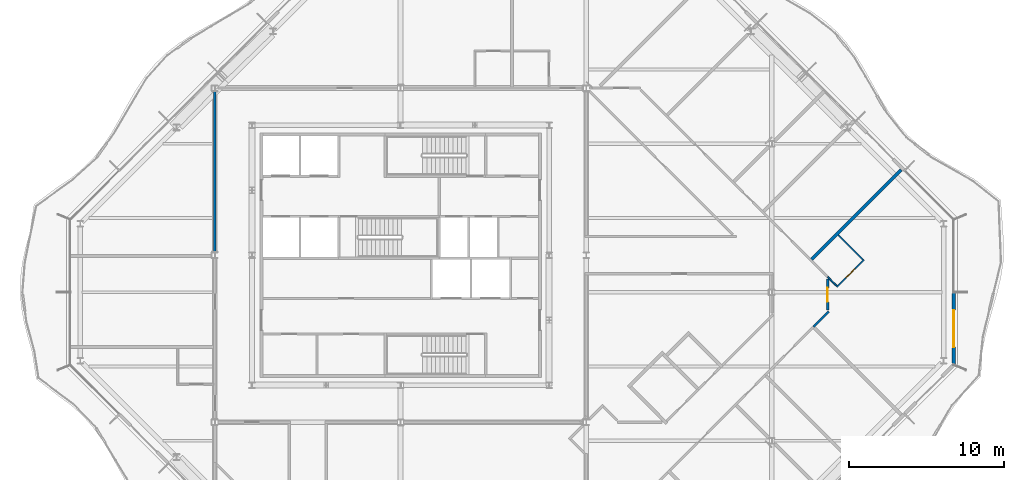
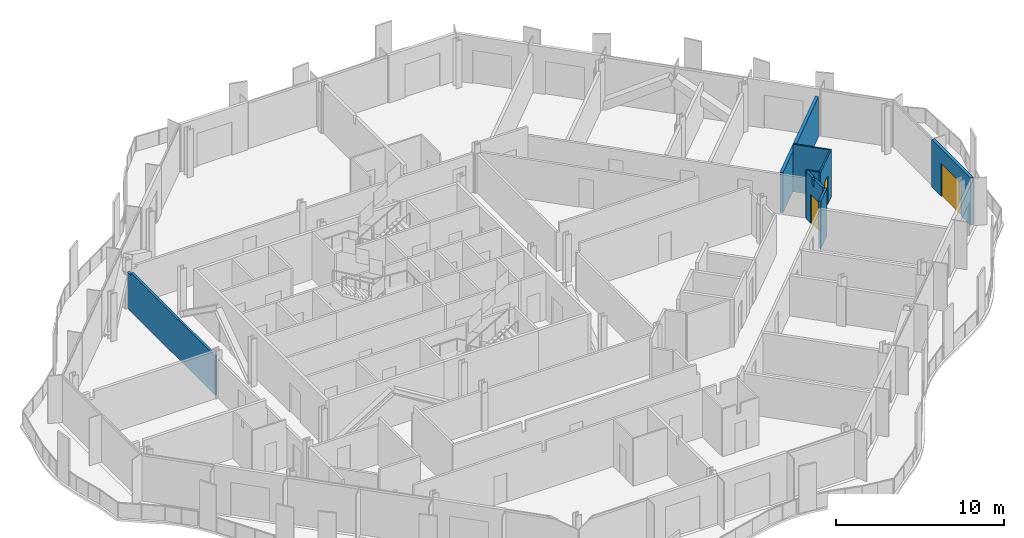
# One storey, part 10 of 17: 8 walls, 3 doors, 3 openings.
"""IFC4 building model written with IfcOpenShell, lengths in metres."""

from ifc_helpers import new_model, si_unit, direction, frame, frame_2d, origin, place, context, subcontext, project, spatial, polyline, rectangle, outline, extrude, material, layer, layer_set, type_object, element, fill, save


model = new_model("IFC4")

# Units and contexts
model_context = context("Model", 3, precision=1e-05, world=origin(), true_north=direction((0.0, 1.0)))
body_context = subcontext(model_context, "Body", "Model", "MODEL_VIEW")
ifc_project = project(units=[si_unit("LENGTHUNIT", "METRE"), si_unit("AREAUNIT", "SQUARE_METRE"), si_unit("VOLUMEUNIT", "CUBIC_METRE"), si_unit("PLANEANGLEUNIT", "RADIAN"), si_unit("MASSUNIT", "GRAM", prefix="KILO")], contexts=[model_context])

# Site, building, storey
site_placement = place(None, origin())
site = spatial("IfcSite", under=ifc_project, at=site_placement, CompositionType="ELEMENT")
building_placement = place(site_placement, origin())
building = spatial("IfcBuilding", under=site, at=building_placement, Name="Cairn Pilgrim Tower", CompositionType="ELEMENT")
storey_placement = place(building_placement, frame((0.0, 0.0, 246.60009765625)))
storey = spatial("IfcBuildingStorey", under=building, at=storey_placement, Name="L63", CompositionType="ELEMENT", Elevation=246.60009765625)

# Wall, opening, door
ifc_material_1 = material(Name="Bronze anodised aluminium insulated sandwich panel with mineral wool fill", Category="aluminium")
ifc_layer_1 = layer(ifc_material_1, 0.199951171875)
ifc_layer_set_1 = layer_set([ifc_layer_1], Name="BRONZE INFILL FRAME WALL 200")
wall_type_1 = type_object("IfcWallType", Name="BRONZE INFILL FRAME WALL 200", PredefinedType="NOTDEFINED", material=ifc_layer_set_1)
wall_1_placement = place(storey_placement, frame((42.949951171875, -4.656494140625, 0.0), z_axis=(0.0, 0.0, 1.0), x_axis=(0.0, 1.0, 0.0)))
wall_1 = element("IfcWall", 1, at=wall_1_placement, inside=storey, type_object=wall_type_1, Name="Bronze infill frame wall IW-E1", PredefinedType="NOTDEFINED", context=body_context, shape_type="SweptSolid", body=[
    extrude(rectangle(XDim=4.62646484375, YDim=0.199951171875, at=frame_2d((2.313232421875, 0.0))), origin(), (0.0, 0.0, 1.0), 3.449951171875),
])
opening_1_placement = place(wall_1_placement, frame((1.1083984375, 0.0, 0.0)))
opening_1 = element("IfcOpeningElement", 2, at=opening_1_placement, cuts=wall_1, Name="Opening 6306B", PredefinedType="OPENING", context=body_context, shape_type="SweptSolid", body=[
    extrude(rectangle(XDim=2.39990234375, YDim=2.39990234375, at=frame_2d((1.199951171875, 1.199951171875))), frame((0.0, 0.10986328125, 0.0), z_axis=(0.0, -1.0, 0.0), x_axis=(1.0, 0.0, 0.0)), (0.0, 0.0, 1.0), 0.219970703125),
])
ifc_material_2 = material(Name="Bronze anodised aluminium frame with tinted low-E glass", Category="aluminium")
door_type_1 = type_object("IfcDoorType", Name="BALCONY SLIDING DOOR 2400x2400", OperationType="DOUBLE_DOOR_SLIDING", PredefinedType="DOOR", material=ifc_material_2)
door_1_placement = place(opening_1_placement, origin())
door_1 = element("IfcDoor", 3, at=door_1_placement, inside=storey, type_object=door_type_1, Name="Balcony sliding door 6306B", OperationType="SINGLE_SWING_LEFT", OverallHeight=2.39990234375, OverallWidth=2.39990234375, PredefinedType="DOOR", context=body_context, shape_type="SweptSolid", body=[
    extrude(rectangle(XDim=2.39990234375, YDim=2.39990234375, at=frame_2d((1.199951171875, 1.199951171875))), frame((0.0, 0.02490234375, 0.0), z_axis=(0.0, -1.0, 0.0), x_axis=(1.0, 0.0, 0.0)), (0.0, 0.0, 1.0), 0.050048828125),
])
fill(opening_1, door_1)

ifc_material_3 = material(Name="Gypsum partition")
ifc_layer_2 = layer(ifc_material_3, 0.10009765625)
ifc_layer_set_2 = layer_set([ifc_layer_2], Name="PARTITION 100 DRYWALL")
wall_type_2 = type_object("IfcWallType", Name="PARTITION 100 DRYWALL", PredefinedType="PARTITIONING", material=ifc_layer_set_2)
wall_2_placement = place(storey_placement, frame((35.382568359375, 0.340576171875, 0.0), z_axis=(0.0, 0.0, 1.0), x_axis=(0.707106781187, 0.707106781187, 0.0)))
wall_2 = element("IfcWall", 4, at=wall_2_placement, inside=storey, type_object=wall_type_2, Name="PARTITION W054", PredefinedType="PARTITIONING", context=body_context, shape_type="SweptSolid", body=[
    extrude(rectangle(XDim=2.5, YDim=0.10009765625, at=frame_2d((1.25, 0.0))), origin(), (0.0, 0.0, 1.0), 3.449951171875),
])
opening_2_placement = place(wall_2_placement, frame((0.85009765625, 0.0, 0.0)))
opening_2 = element("IfcOpeningElement", 5, at=opening_2_placement, cuts=wall_2, Name="Opening 6306A", PredefinedType="OPENING", context=body_context, shape_type="SweptSolid", body=[
    extrude(rectangle(XDim=0.800048828125, YDim=2.10009765625, at=frame_2d((0.39990234375, 1.050048828125))), frame((0.0, 0.06005859375, 0.0), z_axis=(0.0, -1.0, 0.0), x_axis=(1.0, 0.0, 0.0)), (0.0, 0.0, 1.0), 0.1201171875),
])
ifc_material_4 = material(Name="Timber door leaf", Category="wood")
door_type_2 = type_object("IfcDoorType", Name="WC DOOR 800x2100", OperationType="NOTDEFINED", PredefinedType="DOOR", material=ifc_material_4)
door_2_placement = place(opening_2_placement, frame((0.800048828125, 0.0, 0.0), z_axis=(0.0, 0.0, 1.0), x_axis=(-1.0, 0.0, 0.0)))
door_2 = element("IfcDoor", 6, at=door_2_placement, inside=storey, type_object=door_type_2, Name="DOOR 6306A", OperationType="SINGLE_SWING_RIGHT", OverallHeight=2.10009765625, OverallWidth=0.800048828125, PredefinedType="DOOR", context=body_context, shape_type="SweptSolid", body=[
    extrude(rectangle(XDim=0.800048828125, YDim=2.10009765625, at=frame_2d((0.39990234375, 1.050048828125))), frame((0.0, 0.02490234375, 0.0), z_axis=(0.0, -1.0, 0.0), x_axis=(1.0, 0.0, 0.0)), (0.0, 0.0, 1.0), 0.050048828125),
])
fill(opening_2, door_2)

# Walls
wall_3_placement = place(storey_placement, frame((35.382568359375, 0.411376953125, 0.0), z_axis=(0.0, 0.0, 1.0), x_axis=(-0.707106781187, 0.707106781187, 0.0)))
element("IfcWall", 7, at=wall_3_placement, inside=storey, type_object=wall_type_2, Name="PARTITION W055", PredefinedType="PARTITIONING", context=body_context, shape_type="SweptSolid", body=[
    extrude(rectangle(XDim=0.82373046875, YDim=0.10009765625, at=frame_2d((0.411865234375, 0.0))), origin(), (0.0, 0.0, 1.0), 3.449951171875),
])
wall_4_placement = place(storey_placement, frame((37.07958984375, 2.1083984375, 0.0), z_axis=(0.0, 0.0, 1.0), x_axis=(-0.707106781187, 0.707106781187, 0.0)))
element("IfcWall", 8, at=wall_4_placement, inside=storey, type_object=wall_type_2, Name="PARTITION W059", PredefinedType="PARTITIONING", context=body_context, shape_type="SweptSolid", body=[
    extrude(rectangle(XDim=2.249755859375, YDim=0.10009765625, at=frame_2d((1.125, 0.0))), origin(), (0.0, 0.0, 1.0), 3.449951171875),
])
ifc_layer_3 = layer(ifc_material_3, 0.14990234375)
ifc_layer_set_3 = layer_set([ifc_layer_3], Name="PARTITION 150 DRYWALL EI 60")
wall_type_3 = type_object("IfcWallType", Name="PARTITION 150 DRYWALL EI 60", PredefinedType="PARTITIONING", material=ifc_layer_set_3)
wall_5_placement = place(storey_placement, frame((33.885009765625, -2.236083984375, 0.0), z_axis=(0.0, 0.0, 1.0), x_axis=(0.707106781187, 0.707106781187, 0.0)))
element("IfcWall", 9, at=wall_5_placement, inside=storey, type_object=wall_type_3, Name="PARTITION W050", PredefinedType="PARTITIONING", context=body_context, shape_type="SweptSolid", body=[
    extrude(rectangle(XDim=1.400146484375, YDim=0.14990234375, at=frame_2d((0.7001953125, 0.0))), origin(), (0.0, 0.0, 1.0), 3.449951171875),
])

# Wall, opening, door
wall_6_placement = place(storey_placement, frame((34.800048828125, -1.139892578125, 0.0), z_axis=(0.0, 0.0, 1.0), x_axis=(0.0, 1.0, 0.0)))
wall_6 = element("IfcWall", 10, at=wall_6_placement, inside=storey, type_object=wall_type_3, Name="PARTITION W052", PredefinedType="PARTITIONING", context=body_context, shape_type="SweptSolid", body=[
    extrude(outline(polyline([(0.0, 0.0), (1.98828125, 0.0), (1.98828125, 3.449951171875), (1.244873046875, 3.449951171875), (1.242919921875, 2.8798828125), (1.034912109375, 2.8798828125), (1.032958984375, 3.449951171875), (0.0, 3.449951171875), (0.0, 0.0)])), frame((0.0, 0.074951171875, 0.0), z_axis=(0.0, -1.0, 0.0), x_axis=(1.0, 0.0, 0.0)), (0.0, 0.0, 1.0), 0.14990234375),
])
opening_3_placement = place(wall_6_placement, frame((0.52685546875, 0.0, 0.0)))
opening_3 = element("IfcOpeningElement", 11, at=opening_3_placement, cuts=wall_6, Name="Opening 6306", PredefinedType="OPENING", context=body_context, shape_type="SweptSolid", body=[
    extrude(rectangle(XDim=0.89990234375, YDim=2.10009765625, at=frame_2d((0.449951171875, 1.050048828125))), frame((0.0, 0.0849609375, 0.0), z_axis=(0.0, -1.0, 0.0), x_axis=(1.0, 0.0, 0.0)), (0.0, 0.0, 1.0), 0.169921875),
])
door_type_3 = type_object("IfcDoorType", Name="ROOM DOOR 900x2100 FD30S", OperationType="NOTDEFINED", PredefinedType="DOOR", material=ifc_material_4)
door_3_placement = place(opening_3_placement, frame((0.89990234375, 0.0, 0.0), z_axis=(0.0, 0.0, 1.0), x_axis=(-1.0, 0.0, 0.0)))
door_3 = element("IfcDoor", 12, at=door_3_placement, inside=storey, type_object=door_type_3, Name="DOOR 6306", OperationType="SINGLE_SWING_RIGHT", OverallHeight=2.10009765625, OverallWidth=0.89990234375, PredefinedType="DOOR", context=body_context, shape_type="SweptSolid", body=[
    extrude(rectangle(XDim=0.89990234375, YDim=2.10009765625, at=frame_2d((0.449951171875, 1.050048828125))), frame((0.0, 0.02490234375, 0.0), z_axis=(0.0, -1.0, 0.0), x_axis=(1.0, 0.0, 0.0)), (0.0, 0.0, 1.0), 0.050048828125),
])
fill(opening_3, door_3)

# Walls
wall_7_placement = place(storey_placement, frame((-4.800048828125, 2.58740234375, 0.0), z_axis=(0.0, 0.0, 1.0), x_axis=(0.0, 1.0, 0.0)))
element("IfcWall", 13, at=wall_7_placement, inside=storey, type_object=wall_type_3, Name="PARTITION W061", PredefinedType="PARTITIONING", context=body_context, shape_type="SweptSolid", body=[
    extrude(outline(polyline([(0.0, 0.0), (10.425048828125, 0.0), (10.425048828125, 2.6298828125), (9.9697265625, 2.6298828125), (9.9677734375, 2.829833984375), (0.0, 2.829833984375), (0.0, 0.0)])), frame((0.0, 0.074951171875, 0.0), z_axis=(0.0, -1.0, 0.0), x_axis=(1.0, 0.0, 0.0)), (0.0, 0.0, 1.0), 0.14990234375),
])
ifc_layer_4 = layer(ifc_material_3, 0.199951171875)
ifc_layer_set_4 = layer_set([ifc_layer_4], Name="SHAFT WALL 200 GYPSUM EI 60")
wall_type_4 = type_object("IfcWallType", Name="SHAFT WALL 200 GYPSUM EI 60", PredefinedType="PARTITIONING", material=ifc_layer_set_4)
wall_8_placement = place(storey_placement, frame((33.77392578125, 2.1259765625, 0.0), z_axis=(0.0, 0.0, 1.0), x_axis=(0.707121711178, 0.70709185088, 0.0)))
element("IfcWall", 14, at=wall_8_placement, inside=storey, type_object=wall_type_4, Name="PARTITION W058", PredefinedType="PARTITIONING", context=body_context, shape_type="SweptSolid", body=[
    extrude(rectangle(XDim=8.176025390625, YDim=0.199951171875, at=frame_2d((4.087890625, 0.0))), origin(), (0.0, 0.0, 1.0), 2.929931640625),
])

save(model, "model.ifc")
